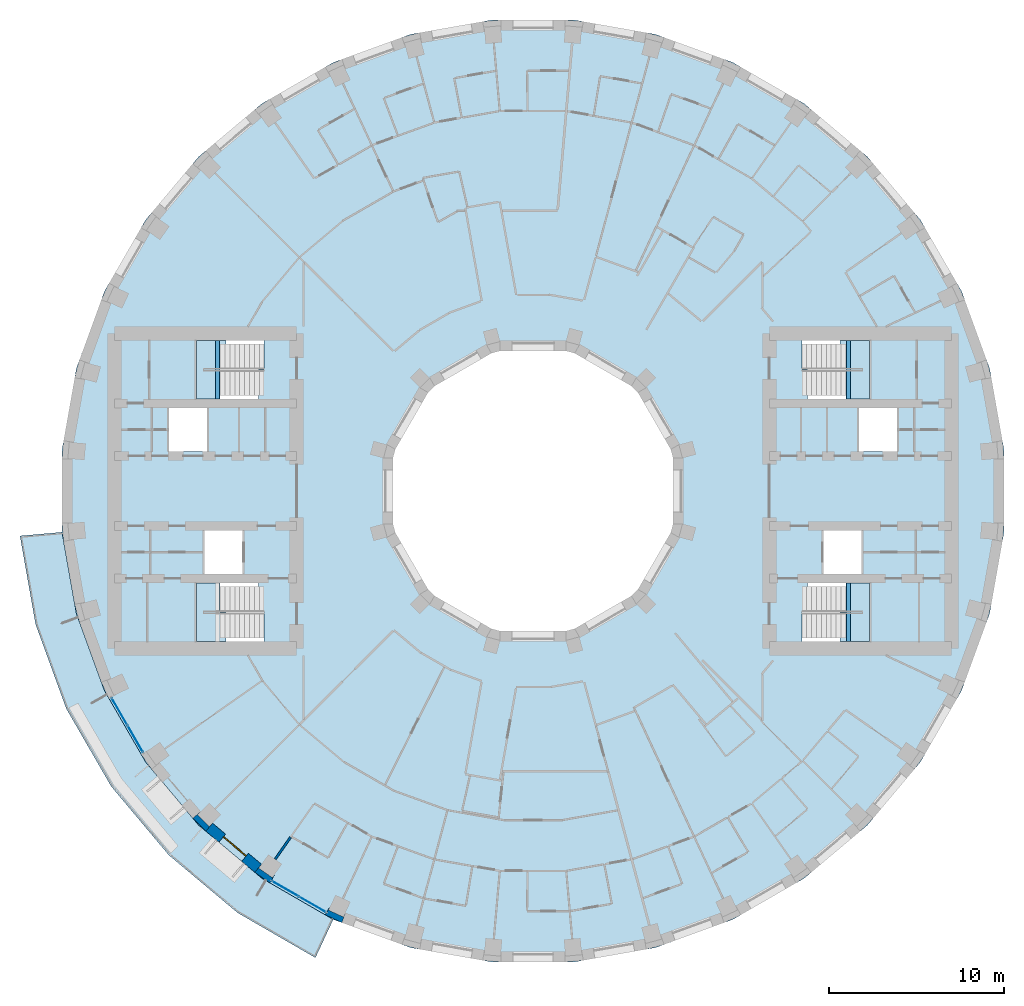
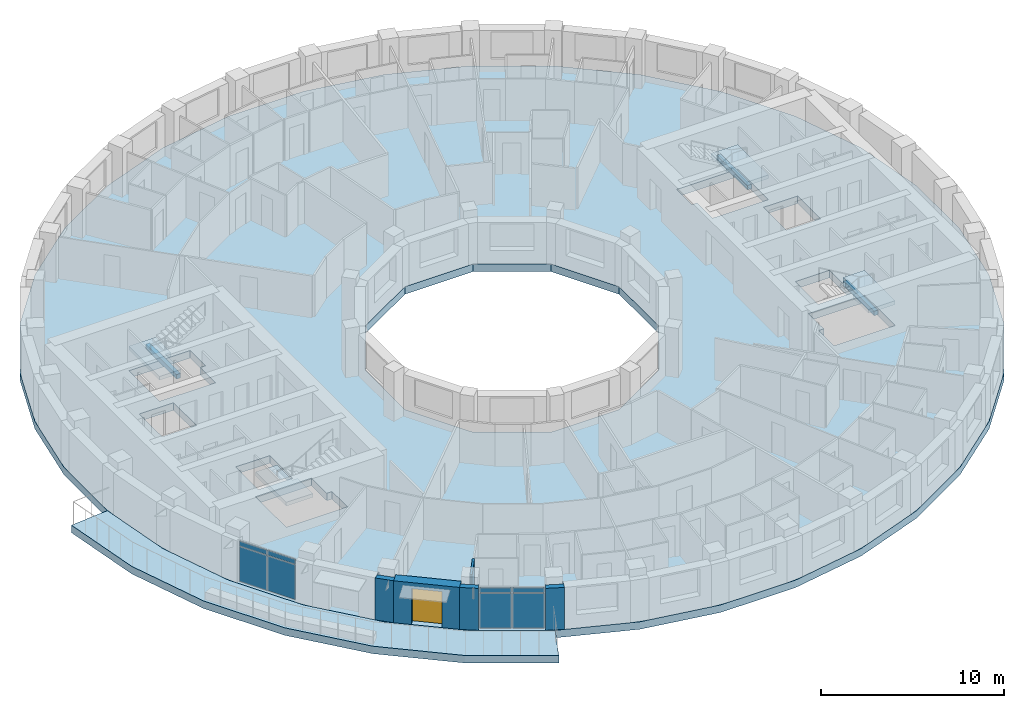
# One storey, part 3 of 16: 8 plates, 6 slabs, 5 walls, 3 beams, 1 door, 1 opening, 6 elements without a shape of their own.
"""IFC4 building model written with IfcOpenShell, lengths in metres."""

import ifcopenshell
import ifcopenshell.guid

model = None  # the IFC model being written
_history = None  # IfcOwnerHistory: only IFC2X3 demands one
_inside = {}  # id of a spatial element -> (the spatial element, [elements in it])
_under = {}  # id of a project, library or spatial element -> (it, [spatial elements below it])
_declared = {}  # id of a project -> (the project, [libraries it declares])
_typed = {}  # id of a type object -> (the type object, [elements of that type])
_made_of = {}  # id of a material, layer set ... -> (it, [elements and type objects made of it])


def new_model(schema):
    """Start an empty IFC model of exactly this schema.

    Asked for "IFC4X3", IfcOpenShell would pick the latest addendum, in which some entities
    have other attributes; the version numbers below select the first issue.
    IFC2X3 requires an IfcOwnerHistory on every rooted entity: one is made here for all.
    """
    global model, _history
    if schema == "IFC4X3":
        model = ifcopenshell.file(schema_version=(4, 3, 0, 0))
    else:
        model = ifcopenshell.file(schema=schema)
    _inside.clear()
    _under.clear()
    _declared.clear()
    _typed.clear()
    _made_of.clear()
    _history = None
    if model.schema == "IFC2X3":
        org = make("IfcOrganization", Name="unknown")
        user = make(
            "IfcPersonAndOrganization",
            ThePerson=make("IfcPerson", FamilyName="unknown"),
            TheOrganization=org,
        )
        app = make(
            "IfcApplication",
            ApplicationDeveloper=org,
            Version="unknown",
            ApplicationFullName="unknown",
            ApplicationIdentifier="unknown",
        )
        _history = make(
            "IfcOwnerHistory",
            OwningUser=user,
            OwningApplication=app,
            ChangeAction="ADDED",
            CreationDate=0,
        )
    return model


def make(cls, **values):
    """One entity of the class cls with the attributes given. An attribute that is None is left unset."""
    return model.create_entity(
        cls, **{name: value for name, value in values.items() if value is not None}
    )


def rooted(cls, **values):
    """An entity with a GlobalId (a new one), such as an element, a storey or a relation."""
    return make(cls, GlobalId=ifcopenshell.guid.new(), OwnerHistory=_history, **values)


def si_unit(unit_type, name, prefix=None):
    """IfcSIUnit, for example si_unit("LENGTHUNIT", "METRE", prefix="MILLI")."""
    return make("IfcSIUnit", UnitType=unit_type, Prefix=prefix, Name=name)


def assignment(units):
    """IfcUnitAssignment: the units of a project."""
    return None if units is None else make("IfcUnitAssignment", Units=units)


def point(xyz):
    """IfcCartesianPoint."""
    return None if xyz is None else make("IfcCartesianPoint", Coordinates=xyz)


def direction(xyz):
    """IfcDirection."""
    return None if xyz is None else make("IfcDirection", DirectionRatios=xyz)


def frame(location, z_axis=None, x_axis=None):
    """IfcAxis2Placement3D, a coordinate frame: its origin and axes. An axis left out is left unset."""
    return make(
        "IfcAxis2Placement3D",
        Location=point(location),
        Axis=direction(z_axis),
        RefDirection=direction(x_axis),
    )


def frame_2d(location, x_axis=None):
    """IfcAxis2Placement2D, a coordinate frame in the plane: its origin and x axis."""
    return make(
        "IfcAxis2Placement2D", Location=point(location), RefDirection=direction(x_axis)
    )


def origin():
    """The frame at (0, 0, 0) with its axes left unset."""
    return frame((0.0, 0.0, 0.0))


def origin_2d():
    """The frame at (0, 0) in the plane with its x axis left unset."""
    return frame_2d((0.0, 0.0))


def place(relative_to, where):
    """IfcLocalPlacement: puts the frame where relative to a parent placement (None: the world)."""
    return make(
        "IfcLocalPlacement", PlacementRelTo=relative_to, RelativePlacement=where
    )


def context(
    kind, dimensions, precision=None, world=None, true_north=None, identifier=None
):
    """IfcGeometricRepresentationContext, for example the 3D "Model" context."""
    return make(
        "IfcGeometricRepresentationContext",
        ContextIdentifier=identifier,
        ContextType=kind,
        CoordinateSpaceDimension=dimensions,
        Precision=precision,
        WorldCoordinateSystem=world,
        TrueNorth=true_north,
    )


def subcontext(parent, identifier, kind, view, scale=None):
    """IfcGeometricRepresentationSubContext, for example "Body" below "Model"."""
    return make(
        "IfcGeometricRepresentationSubContext",
        ContextIdentifier=identifier,
        ContextType=kind,
        ParentContext=parent,
        TargetScale=scale,
        TargetView=view,
    )


def project(units=None, contexts=None):
    """IfcProject with its units and contexts."""
    return rooted(
        "IfcProject",
        Name="project",
        RepresentationContexts=contexts,
        UnitsInContext=assignment(units),
    )


def spatial(cls, under=None, at=None, **own):
    """A site, building, storey or space (cls), placed at a placement, below another one or the project."""
    s = rooted(cls, ObjectPlacement=at, **own)
    if under is not None:
        _under.setdefault(under.id(), (under, []))[1].append(s)
    return s


def polyline(points):
    """IfcPolyline through the points."""
    return make("IfcPolyline", Points=[point(p) for p in points])


def profile(cls, at=None, kind="AREA", **sizes):
    """A parametric profile (cls). Its sizes go by their IFC names, for example OverallWidth=200.0."""
    return make(cls, ProfileType=kind, Position=at, **sizes)


def rectangle(**sizes):
    """IfcRectangleProfileDef."""
    return profile("IfcRectangleProfileDef", **sizes)


def outline(outer, holes=None, kind="AREA"):
    """IfcArbitraryClosedProfileDef: a profile drawn as a closed curve; with holes, ...WithVoids."""
    if holes is None:
        return make("IfcArbitraryClosedProfileDef", ProfileType=kind, OuterCurve=outer)
    return make(
        "IfcArbitraryProfileDefWithVoids",
        ProfileType=kind,
        OuterCurve=outer,
        InnerCurves=holes,
    )


def extrude(swept, where, along, depth):
    """IfcExtrudedAreaSolid: the profile swept, set in the frame where, extruded along a direction by depth."""
    return make(
        "IfcExtrudedAreaSolid",
        SweptArea=swept,
        Position=where,
        ExtrudedDirection=direction(along),
        Depth=depth,
    )


def shape(context_of_items, identifier, shape_type, items):
    """IfcShapeRepresentation: the items that make up one representation, for example the "Body"."""
    return make(
        "IfcShapeRepresentation",
        ContextOfItems=context_of_items,
        RepresentationIdentifier=identifier,
        RepresentationType=shape_type,
        Items=items,
    )


def material(Name=None, Category=None):
    """IfcMaterial."""
    return make("IfcMaterial", Name=Name, Category=Category)


def layer(
    of_material, thickness, ventilated=None, Name=None, Category=None, Priority=None
):
    """IfcMaterialLayer: one layer of a wall or slab, of a material (None: an air gap)."""
    return make(
        "IfcMaterialLayer",
        Material=of_material,
        LayerThickness=thickness,
        IsVentilated=ventilated,
        Name=Name,
        Category=Category,
        Priority=Priority,
    )


def layer_set(layers, Name=None):
    """IfcMaterialLayerSet."""
    return make("IfcMaterialLayerSet", MaterialLayers=layers, LayerSetName=Name)


def material_profile(
    of_material, cross_section, Name=None, Category=None, Priority=None
):
    """IfcMaterialProfile: a cross section and its material."""
    return make(
        "IfcMaterialProfile",
        Name=Name,
        Material=of_material,
        Profile=cross_section,
        Priority=Priority,
        Category=Category,
    )


def profile_set(profiles, Name=None, composite=None):
    """IfcMaterialProfileSet."""
    return make(
        "IfcMaterialProfileSet",
        Name=Name,
        MaterialProfiles=profiles,
        CompositeProfile=composite,
    )


def made_of(thing, what):
    """Note that an element or type object is made of a material, layer set ...; save() writes the relation."""
    if what is not None:
        _made_of.setdefault(what.id(), (what, []))[1].append(thing)
    return thing


def type_object(cls, material=None, **own):
    """A type object (cls), such as IfcWallType, which elements share."""
    return made_of(rooted(cls, **own), material)


def element(
    cls,
    number,
    at=None,
    inside=None,
    cuts=None,
    type_object=None,
    material=None,
    context=None,
    identifier="Body",
    shape_type=None,
    held_by="IfcProductDefinitionShape",
    body=None,
    shapes=None,
    **own,
):
    """One element of the class cls, such as IfcWall. Its Tag is "e" and its number.

    at: its placement. inside: the storey or other place that contains it. cuts: it is an
    opening in that element (IfcRelVoidsElement). A single representation is given by context,
    identifier, shape_type and body (its items); several are given by shapes. held_by: the class
    of the entity that holds the representations. save() writes the other relations.
    """
    e = rooted(cls, Tag="e%d" % number, ObjectPlacement=at, **own)
    if body is not None:
        shapes = [shape(context, identifier, shape_type, body)]
    if shapes is not None:
        e.Representation = make(held_by, Representations=shapes)
    if inside is not None:
        _inside.setdefault(inside.id(), (inside, []))[1].append(e)
    if cuts is not None:
        rooted(
            "IfcRelVoidsElement", RelatingBuildingElement=cuts, RelatedOpeningElement=e
        )
    if type_object is not None:
        _typed.setdefault(type_object.id(), (type_object, []))[1].append(e)
    return made_of(e, material)


def fill(opening, filler):
    """IfcRelFillsElement: the door or window that sits in an opening."""
    return rooted(
        "IfcRelFillsElement",
        RelatingOpeningElement=opening,
        RelatedBuildingElement=filler,
    )


def aggregate(whole, parts):
    """IfcRelAggregates: a whole, such as a stair, and the parts it consists of."""
    return rooted("IfcRelAggregates", RelatingObject=whole, RelatedObjects=parts)


def save(model, path):
    """Write the relations noted so far, then the file.

    IfcRelAggregates (storeys below a building ...), IfcRelContainedInSpatialStructure (elements
    in a storey), IfcRelDefinesByType, IfcRelAssociatesMaterial and IfcRelDeclares: one each for
    every whole, place, type object, material and project.
    """
    for whole, parts in _under.values():
        aggregate(whole, parts)
    for where, things in _inside.values():
        rooted(
            "IfcRelContainedInSpatialStructure",
            RelatedElements=things,
            RelatingStructure=where,
        )
    for kind, things in _typed.values():
        rooted("IfcRelDefinesByType", RelatedObjects=things, RelatingType=kind)
    for what, things in _made_of.values():
        rooted("IfcRelAssociatesMaterial", RelatedObjects=things, RelatingMaterial=what)
    for by, libraries in _declared.values():
        rooted("IfcRelDeclares", RelatingContext=by, RelatedDefinitions=libraries)
    model.write(path)


model = new_model("IFC4")

# Units and contexts
model_context = context("Model", 3, precision=1e-05, world=origin(), true_north=direction((0.0, 1.0)))
body_context = subcontext(model_context, "Body", "Model", "MODEL_VIEW")
ifc_project = project(units=[si_unit("LENGTHUNIT", "METRE"), si_unit("AREAUNIT", "SQUARE_METRE"), si_unit("VOLUMEUNIT", "CUBIC_METRE"), si_unit("PLANEANGLEUNIT", "RADIAN"), si_unit("MASSUNIT", "GRAM", prefix="KILO")], contexts=[model_context])

# Site, building, storey
site_placement = place(None, origin())
site = spatial("IfcSite", under=ifc_project, at=site_placement, CompositionType="ELEMENT")
building_placement = place(site_placement, origin())
building = spatial("IfcBuilding", under=site, at=building_placement, Name="Saqina Gate Tower", CompositionType="ELEMENT")
storey_placement = place(building_placement, frame((0.0, 0.0, 121.60009765625)))
storey = spatial("IfcBuildingStorey", under=building, at=storey_placement, Name="L34", CompositionType="ELEMENT", Elevation=121.60009765625)

# Beams
ifc_material_1 = material(Name="Concrete C40/50", Category="concrete")
ifc_material_profile = material_profile(ifc_material_1, rectangle(XDim=0.25, YDim=0.300048828125, at=origin_2d()), Name="STAIR LANDING BEAM")
ifc_profile_set = profile_set([ifc_material_profile], Name="Concrete C40/50")
beam_type = type_object("IfcBeamType", Name="STAIR LANDING BEAM", PredefinedType="BEAM", material=ifc_profile_set)
for number, where, z_axis, x_axis, name in (
    (1, (18.02001953125, 5.25, 1.25), (0.0, 1.0, 0.0), (-1.0, 0.0, 0.0), "EXIT STAIR 1 LANDING BEAM"),
    (2, (18.02001953125, -8.60009765625, 1.25), (0.0, 1.0, 0.0), (-1.0, 0.0, 0.0), "EXIT STAIR 2 LANDING BEAM"),
    (3, (-18.02001953125, 5.25, 1.25), (0.0, 1.0, 0.0), (-1.0, 0.0, 0.0), "EXIT STAIR 3 LANDING BEAM"),
):
    element("IfcBeam", number, at=place(storey_placement, frame(where, z_axis=z_axis, x_axis=x_axis)), inside=storey, type_object=beam_type, Name=name, PredefinedType="BEAM", context=body_context, shape_type="SweptSolid", body=[
        extrude(rectangle(XDim=0.25, YDim=0.300048828125, at=origin_2d()), origin(), (0.0, 0.0, 1.0), 3.35009765625),
    ])

# Curtain wall, plates
ifc_material_2 = material(Name="Aluminium glazing", Category="aluminium")
ifc_layer_1 = layer(ifc_material_2, 0.159912109375)
ifc_layer_set_1 = layer_set([ifc_layer_1], Name="CWT-4")
curtain_wall_type = type_object("IfcCurtainWallType", Name="CWT-4", PredefinedType="NOTDEFINED", material=ifc_layer_set_1)
curtain_wall_1_placement = place(storey_placement, origin())
curtain_wall_1 = element("IfcCurtainWall", 4, at=curtain_wall_1_placement, inside=storey, type_object=curtain_wall_type, Name="Terrace lounge glazing facet 21", PredefinedType="NOTDEFINED")
ifc_material_3 = material(Name="Glass", Category="glass")
ifc_layer_2 = layer(ifc_material_3, 0.028076171875)
ifc_layer_set_2 = layer_set([ifc_layer_2], Name="CWT-4P")
plate_type = type_object("IfcPlateType", Name="CWT-4P", PredefinedType="CURTAIN_PANEL", material=ifc_layer_set_2)
plate_1_placement = place(storey_placement, frame((-23.6123046875, -12.596923828125, 0.059814453125), z_axis=(0.0, 0.0, 1.0), x_axis=(0.499998512381, -0.86602626266, 0.0)))
plate_1 = element("IfcPlate", 5, at=plate_1_placement, type_object=plate_type, Name="CW4-21 panel 1.1", PredefinedType="CURTAIN_PANEL", context=body_context, shape_type="SweptSolid", body=[
    extrude(rectangle(XDim=1.73388671875, YDim=0.028076171875, at=origin_2d()), origin(), (0.0, 0.0, 1.0), 2.31005859375),
])
plate_2_placement = place(storey_placement, frame((-23.6123046875, -12.596923828125, 2.429931640625), z_axis=(0.0, 0.0, 1.0), x_axis=(0.499998512381, -0.86602626266, 0.0)))
plate_2 = element("IfcPlate", 6, at=plate_2_placement, type_object=plate_type, Name="CW4-21 panel 1.2", PredefinedType="CURTAIN_PANEL", context=body_context, shape_type="SweptSolid", body=[
    extrude(rectangle(XDim=1.73388671875, YDim=0.028076171875, at=origin_2d()), origin(), (0.0, 0.0, 1.0), 0.31005859375),
])
plate_3_placement = place(storey_placement, frame((-22.71533203125, -14.150390625, 0.059814453125), z_axis=(0.0, 0.0, 1.0), x_axis=(0.499998512381, -0.86602626266, 0.0)))
plate_3 = element("IfcPlate", 7, at=plate_3_placement, type_object=plate_type, Name="CW4-21 panel 2.1", PredefinedType="CURTAIN_PANEL", context=body_context, shape_type="SweptSolid", body=[
    extrude(rectangle(XDim=1.73388671875, YDim=0.028076171875, at=origin_2d()), origin(), (0.0, 0.0, 1.0), 2.31005859375),
])
plate_4_placement = place(storey_placement, frame((-22.71533203125, -14.150390625, 2.429931640625), z_axis=(0.0, 0.0, 1.0), x_axis=(0.499998512381, -0.86602626266, 0.0)))
plate_4 = element("IfcPlate", 8, at=plate_4_placement, type_object=plate_type, Name="CW4-21 panel 2.2", PredefinedType="CURTAIN_PANEL", context=body_context, shape_type="SweptSolid", body=[
    extrude(rectangle(XDim=1.73388671875, YDim=0.028076171875, at=origin_2d()), origin(), (0.0, 0.0, 1.0), 0.31005859375),
])
aggregate(curtain_wall_1, [plate_1, plate_2, plate_3, plate_4])

curtain_wall_2_placement = place(storey_placement, origin())
curtain_wall_2 = element("IfcCurtainWall", 9, at=curtain_wall_2_placement, inside=storey, type_object=curtain_wall_type, Name="Terrace lounge glazing facet 24", PredefinedType="NOTDEFINED")
plate_5_placement = place(storey_placement, frame((-14.150390625, -22.71533203125, 0.059814453125), z_axis=(0.0, 0.0, 1.0), x_axis=(0.86602626266, -0.499998512381, 0.0)))
plate_5 = element("IfcPlate", 10, at=plate_5_placement, type_object=plate_type, Name="CW4-24 panel 1.1", PredefinedType="CURTAIN_PANEL", context=body_context, shape_type="SweptSolid", body=[
    extrude(rectangle(XDim=1.73388671875, YDim=0.028076171875, at=origin_2d()), origin(), (0.0, 0.0, 1.0), 2.31005859375),
])
plate_6_placement = place(storey_placement, frame((-14.150390625, -22.71533203125, 2.429931640625), z_axis=(0.0, 0.0, 1.0), x_axis=(0.86602626266, -0.499998512381, 0.0)))
plate_6 = element("IfcPlate", 11, at=plate_6_placement, type_object=plate_type, Name="CW4-24 panel 1.2", PredefinedType="CURTAIN_PANEL", context=body_context, shape_type="SweptSolid", body=[
    extrude(rectangle(XDim=1.73388671875, YDim=0.028076171875, at=origin_2d()), origin(), (0.0, 0.0, 1.0), 0.31005859375),
])
plate_7_placement = place(storey_placement, frame((-12.596923828125, -23.6123046875, 0.059814453125), z_axis=(0.0, 0.0, 1.0), x_axis=(0.86602626266, -0.499998512381, 0.0)))
plate_7 = element("IfcPlate", 12, at=plate_7_placement, type_object=plate_type, Name="CW4-24 panel 2.1", PredefinedType="CURTAIN_PANEL", context=body_context, shape_type="SweptSolid", body=[
    extrude(rectangle(XDim=1.73388671875, YDim=0.028076171875, at=origin_2d()), origin(), (0.0, 0.0, 1.0), 2.31005859375),
])
plate_8_placement = place(storey_placement, frame((-12.596923828125, -23.6123046875, 2.429931640625), z_axis=(0.0, 0.0, 1.0), x_axis=(0.86602626266, -0.499998512381, 0.0)))
plate_8 = element("IfcPlate", 13, at=plate_8_placement, type_object=plate_type, Name="CW4-24 panel 2.2", PredefinedType="CURTAIN_PANEL", context=body_context, shape_type="SweptSolid", body=[
    extrude(rectangle(XDim=1.73388671875, YDim=0.028076171875, at=origin_2d()), origin(), (0.0, 0.0, 1.0), 0.31005859375),
])
aggregate(curtain_wall_2, [plate_5, plate_6, plate_7, plate_8])

# Stair, slab
ifc_material_4 = material(Name="Concrete C40/50", Category="concrete")
stair_type = type_object("IfcStairType", Name="EXIT STAIR", PredefinedType="HALF_TURN_STAIR", material=ifc_material_4)
stair_1_placement = place(storey_placement, origin())
stair_1 = element("IfcStair", 14, at=stair_1_placement, inside=storey, type_object=stair_type, Name="EXIT STAIR 1", PredefinedType="HALF_TURN_STAIR")
ifc_material_5 = material(Name="Concrete C40/50", Category="concrete")
ifc_layer_3 = layer(ifc_material_5, 0.25)
ifc_layer_set_3 = layer_set([ifc_layer_3], Name="Concrete C40/50")
slab_type_1 = type_object("IfcSlabType", Name="EXIT STAIR LANDING", PredefinedType="LANDING", material=ifc_layer_set_3)
slab_1_placement = place(storey_placement, frame((0.0, 0.0, 1.39990234375)))
slab_1 = element("IfcSlab", 15, at=slab_1_placement, type_object=slab_type_1, Name="EXIT STAIR 1 LANDING 1", PredefinedType="LANDING", context=body_context, shape_type="SweptSolid", body=[
    extrude(outline(polyline([(19.219970703125, 8.60009765625), (19.219970703125, 5.25), (17.864990234375, 5.25), (17.864990234375, 6.925048828125), (17.534423828125, 6.925048828125), (17.534423828125, 8.60009765625), (17.864990234375, 8.60009765625), (17.8701171875, 8.60009765625), (19.219970703125, 8.60009765625)])), origin(), (0.0, 0.0, 1.0), 0.25),
])
aggregate(stair_1, [slab_1])

stair_2_placement = place(storey_placement, origin())
stair_2 = element("IfcStair", 16, at=stair_2_placement, inside=storey, type_object=stair_type, Name="EXIT STAIR 2", PredefinedType="HALF_TURN_STAIR")
slab_2_placement = place(storey_placement, frame((0.0, 0.0, 1.39990234375)))
slab_2 = element("IfcSlab", 17, at=slab_2_placement, type_object=slab_type_1, Name="EXIT STAIR 2 LANDING 1", PredefinedType="LANDING", context=body_context, shape_type="SweptSolid", body=[
    extrude(outline(polyline([(17.534423828125, -8.60009765625), (17.534423828125, -6.925048828125), (17.864990234375, -6.925048828125), (17.864990234375, -5.25), (19.219970703125, -5.25), (19.219970703125, -8.60009765625), (17.8701171875, -8.60009765625), (17.864990234375, -8.60009765625), (17.534423828125, -8.60009765625)])), origin(), (0.0, 0.0, 1.0), 0.25),
])
aggregate(stair_2, [slab_2])

stair_3_placement = place(storey_placement, origin())
stair_3 = element("IfcStair", 18, at=stair_3_placement, inside=storey, type_object=stair_type, Name="EXIT STAIR 3", PredefinedType="HALF_TURN_STAIR")
slab_3_placement = place(storey_placement, frame((0.0, 0.0, 1.39990234375)))
slab_3 = element("IfcSlab", 19, at=slab_3_placement, type_object=slab_type_1, Name="EXIT STAIR 3 LANDING 1", PredefinedType="LANDING", context=body_context, shape_type="SweptSolid", body=[
    extrude(outline(polyline([(-17.864990234375, 5.25), (-19.219970703125, 5.25), (-19.219970703125, 8.60009765625), (-17.8701171875, 8.60009765625), (-17.864990234375, 8.60009765625), (-17.534423828125, 8.60009765625), (-17.534423828125, 6.925048828125), (-17.864990234375, 6.925048828125), (-17.864990234375, 5.25)])), origin(), (0.0, 0.0, 1.0), 0.25),
])
aggregate(stair_3, [slab_3])

stair_4_placement = place(storey_placement, origin())
stair_4 = element("IfcStair", 20, at=stair_4_placement, inside=storey, type_object=stair_type, Name="EXIT STAIR 4", PredefinedType="HALF_TURN_STAIR")
slab_4_placement = place(storey_placement, frame((0.0, 0.0, 1.39990234375)))
slab_4 = element("IfcSlab", 21, at=slab_4_placement, type_object=slab_type_1, Name="EXIT STAIR 4 LANDING 1", PredefinedType="LANDING", context=body_context, shape_type="SweptSolid", body=[
    extrude(outline(polyline([(-17.534423828125, -6.925048828125), (-17.534423828125, -8.60009765625), (-17.864990234375, -8.60009765625), (-17.8701171875, -8.60009765625), (-19.219970703125, -8.60009765625), (-19.219970703125, -5.25), (-17.864990234375, -5.25), (-17.864990234375, -6.925048828125), (-17.534423828125, -6.925048828125)])), origin(), (0.0, 0.0, 1.0), 0.25),
])
aggregate(stair_4, [slab_4])

# Slabs
ifc_material_6 = material(Name="Concrete C40/50", Category="concrete")
ifc_layer_4 = layer(ifc_material_6, 0.5)
ifc_layer_set_4 = layer_set([ifc_layer_4], Name="Concrete C40/50")
slab_type_2 = type_object("IfcSlabType", Name="STR-POST-TENSIONED FLAT PLATE FLOOR-500", PredefinedType="FLOOR", material=ifc_layer_set_4)
slab_5_placement = place(storey_placement, frame((0.0, 0.0, -0.5)))
element("IfcSlab", 22, at=slab_5_placement, inside=storey, type_object=slab_type_2, Name="L34-SLB01", PredefinedType="FLOOR", context=body_context, shape_type="SweptSolid", body=[
    extrude(outline(polyline([(26.080078125, -6.988037109375), (26.897216796875, -2.353271484375), (26.897216796875, 2.353271484375), (26.080078125, 6.988037109375), (24.47021484375, 11.41064453125), (22.1171875, 15.486572265625), (19.091796875, 19.091796875), (15.486572265625, 22.1171875), (11.41064453125, 24.47021484375), (6.988037109375, 26.080078125), (2.353271484375, 26.897216796875), (-2.353271484375, 26.897216796875), (-6.988037109375, 26.080078125), (-11.41064453125, 24.47021484375), (-15.486572265625, 22.1171875), (-19.091796875, 19.091796875), (-22.1171875, 15.486572265625), (-24.47021484375, 11.41064453125), (-26.080078125, 6.988037109375), (-26.897216796875, 2.353271484375), (-26.897216796875, -2.353271484375), (-26.080078125, -6.988037109375), (-24.47021484375, -11.41064453125), (-22.1171875, -15.486572265625), (-19.091796875, -19.091796875), (-15.486572265625, -22.1171875), (-11.41064453125, -24.47021484375), (-6.988037109375, -26.080078125), (-2.353271484375, -26.897216796875), (2.353271484375, -26.897216796875), (6.988037109375, -26.080078125), (11.41064453125, -24.47021484375), (15.486572265625, -22.1171875), (19.091796875, -19.091796875), (22.1171875, -15.486572265625), (24.47021484375, -11.41064453125), (26.080078125, -6.988037109375)]), holes=[polyline([(2.1435546875, 8.0), (5.8564453125, 5.8564453125), (8.0, 2.1435546875), (8.0, -2.1435546875), (5.8564453125, -5.8564453125), (2.1435546875, -8.0), (-2.1435546875, -8.0), (-5.8564453125, -5.8564453125), (-8.0, -2.1435546875), (-8.0, 2.1435546875), (-5.8564453125, 5.8564453125), (-2.1435546875, 8.0), (2.1435546875, 8.0)]), polyline([(-15.35498046875, -8.60009765625), (-19.219970703125, -8.60009765625), (-19.219970703125, -6.925048828125), (-19.219970703125, -5.25), (-15.685546875, -5.25), (-15.685546875, -6.925048828125), (-15.35498046875, -6.925048828125), (-15.35498046875, -8.60009765625)]), polyline([(-16.590087890625, -2.25), (-16.590087890625, -4.75), (-18.75, -4.75), (-18.75, -2.25), (-16.590087890625, -2.25)]), polyline([(-20.780029296875, 4.75), (-18.6201171875, 4.75), (-18.6201171875, 2.25), (-20.780029296875, 2.25), (-20.780029296875, 4.75)]), polyline([(-19.219970703125, 6.925048828125), (-19.219970703125, 8.60009765625), (-15.35498046875, 8.60009765625), (-15.35498046875, 6.925048828125), (-15.685546875, 6.925048828125), (-15.685546875, 5.25), (-19.219970703125, 5.25), (-19.219970703125, 6.925048828125)]), polyline([(15.35498046875, -8.60009765625), (15.35498046875, -6.925048828125), (15.685546875, -6.925048828125), (15.685546875, -5.25), (19.219970703125, -5.25), (19.219970703125, -6.925048828125), (19.219970703125, -8.60009765625), (15.35498046875, -8.60009765625)]), polyline([(18.75, -2.25), (18.75, -4.75), (16.590087890625, -4.75), (16.590087890625, -2.25), (18.75, -2.25)]), polyline([(18.6201171875, 4.75), (20.780029296875, 4.75), (20.780029296875, 2.25), (18.6201171875, 2.25), (18.6201171875, 4.75)]), polyline([(15.685546875, 6.925048828125), (15.35498046875, 6.925048828125), (15.35498046875, 8.60009765625), (19.219970703125, 8.60009765625), (19.219970703125, 6.925048828125), (19.219970703125, 5.25), (15.685546875, 5.25), (15.685546875, 6.925048828125)])]), origin(), (0.0, 0.0, 1.0), 0.5),
])
ifc_material_7 = material(Name="Concrete C40/50", Category="concrete")
ifc_layer_5 = layer(ifc_material_7, 0.5)
ifc_layer_set_5 = layer_set([ifc_layer_5], Name="Concrete C40/50")
slab_type_3 = type_object("IfcSlabType", Name="STR-POST-TENSIONED FLAT PLATE TERRACE-500", PredefinedType="FLOOR", material=ifc_layer_set_5)
slab_6_placement = place(storey_placement, frame((0.0, 0.0, -0.5)))
element("IfcSlab", 23, at=slab_6_placement, inside=storey, type_object=slab_type_3, Name="L34-TRS01", PredefinedType="FLOOR", context=body_context, shape_type="SweptSolid", body=[
    extrude(outline(polyline([(-26.897216796875, -2.353271484375), (-26.080078125, -6.988037109375), (-24.47021484375, -11.41064453125), (-22.1171875, -15.486572265625), (-19.091796875, -19.091796875), (-15.486572265625, -22.1171875), (-11.41064453125, -24.47021484375), (-12.428955078125, -26.65380859375), (-16.868408203125, -24.090576171875), (-20.79541015625, -20.79541015625), (-24.090576171875, -16.868408203125), (-26.65380859375, -12.428955078125), (-28.406982421875, -7.611572265625), (-29.29736328125, -2.563232421875), (-26.897216796875, -2.353271484375)])), origin(), (0.0, 0.0, 1.0), 0.5),
])

# Walls
ifc_material_8 = material(Name="Brick masonry (buff)", Category="masonry")
wall_type_1 = type_object("IfcWallType", Name="BRICK PIER COPING BUFF", PredefinedType="SOLIDWALL", material=ifc_material_8)
wall_1_placement = place(storey_placement, origin())
element("IfcWall", 24, at=wall_1_placement, inside=storey, type_object=wall_type_1, Name="Pier cap L34 column 23", PredefinedType="SOLIDWALL", context=body_context, shape_type="SweptSolid", body=[
    extrude(outline(polyline([(-19.43212890625, -18.686279296875), (-18.686279296875, -19.43212890625), (-18.30078125, -18.972412109375), (-18.49072265625, -19.16259765625), (-19.16259765625, -18.49072265625), (-18.972412109375, -18.30078125), (-19.43212890625, -18.686279296875)])), origin(), (0.0, 0.0, 1.0), 2.7998046875),
])
wall_2_placement = place(storey_placement, origin())
element("IfcWall", 25, at=wall_2_placement, inside=storey, type_object=wall_type_1, Name="Pier cap L34 column 24", PredefinedType="SOLIDWALL", context=body_context, shape_type="SweptSolid", body=[
    extrude(outline(polyline([(-15.0283203125, -22.3818359375), (-14.728271484375, -21.862060546875), (-14.88232421875, -22.08251953125), (-15.66064453125, -21.53759765625), (-15.50634765625, -21.317138671875), (-15.89208984375, -21.77685546875), (-15.0283203125, -22.3818359375)])), origin(), (0.0, 0.0, 1.0), 2.7998046875),
])
wall_3_placement = place(storey_placement, origin())
element("IfcWall", 26, at=wall_3_placement, inside=storey, type_object=wall_type_1, Name="Pier cap L34 column 25", PredefinedType="SOLIDWALL", context=body_context, shape_type="SweptSolid", body=[
    extrude(outline(polyline([(-10.913330078125, -24.6513671875), (-10.7080078125, -24.08740234375), (-10.82177734375, -24.331298828125), (-11.6826171875, -23.9296875), (-11.569091796875, -23.68603515625), (-11.869140625, -24.205810546875), (-10.913330078125, -24.6513671875)])), origin(), (0.0, 0.0, 1.0), 2.7998046875),
])

# Wall, opening, door
ifc_material_9 = material(Name="Brick masonry (buff)", Category="masonry")
ifc_layer_6 = layer(ifc_material_9, 0.60009765625)
ifc_layer_set_6 = layer_set([ifc_layer_6], Name="FW-BRICK-BUFF")
wall_type_2 = type_object("IfcWallType", Name="FW-BRICK-BUFF", PredefinedType="SOLIDWALL", material=ifc_layer_set_6)
wall_4_placement = place(storey_placement, frame((-18.49365234375, -19.202392578125, 0.0), z_axis=(0.0, 0.0, 1.0), x_axis=(0.766055462616, -0.642774476932, 0.0)))
wall_4 = element("IfcWall", 27, at=wall_4_placement, inside=storey, type_object=wall_type_2, Name="Facade wall L34 facet 23", PredefinedType="SOLIDWALL", context=body_context, shape_type="SweptSolid", body=[
    extrude(rectangle(XDim=3.647705078125, YDim=0.60009765625, at=frame_2d((1.82373046875, 0.0))), origin(), (0.0, 0.0, 1.0), 2.7998046875),
])
opening_placement = place(wall_4_placement, frame((0.973876953125, 0.0, 0.0)))
opening = element("IfcOpeningElement", 28, at=opening_placement, cuts=wall_4, Name="Opening G10-D81", PredefinedType="OPENING", context=body_context, shape_type="SweptSolid", body=[
    extrude(rectangle(XDim=1.699951171875, YDim=2.39990234375, at=frame_2d((0.85009765625, 1.199951171875))), frame((0.0, 0.31201171875, 0.0), z_axis=(0.0, -1.0, 0.0), x_axis=(1.0, 0.0, 0.0)), (0.0, 0.0, 1.0), 0.6240234375),
])
ifc_material_10 = material(Name="Aluminium glazing", Category="aluminium")
door_type = type_object("IfcDoorType", Name="GD-B", OperationType="DOUBLE_DOOR_SINGLE_SWING", PredefinedType="DOOR", material=ifc_material_10)
door_placement = place(opening_placement, frame((1.699951171875, 0.0, 0.0), z_axis=(0.0, 0.0, 1.0), x_axis=(-1.0, 0.0, 0.0)))
door = element("IfcDoor", 29, at=door_placement, inside=storey, type_object=door_type, Name="Terrace door L34 facet 23", OperationType="DOUBLE_DOOR_SINGLE_SWING", OverallHeight=2.39990234375, OverallWidth=1.699951171875, PredefinedType="DOOR", context=body_context, shape_type="SweptSolid", body=[
    extrude(rectangle(XDim=1.699951171875, YDim=2.39990234375, at=frame_2d((0.85009765625, 1.199951171875))), frame((0.0, -0.0751953125, 0.0), z_axis=(0.0, -1.0, 0.0), x_axis=(1.0, 0.0, 0.0)), (0.0, 0.0, 1.0), 0.050048828125),
])
fill(opening, door)

# Wall
ifc_material_11 = material(Name="Gypsum board on steel studs, 125 mm, fire rated", Category="steel")
ifc_layer_7 = layer(ifc_material_11, 0.125)
ifc_layer_set_7 = layer_set([ifc_layer_7], Name="PARTITION EI 30 125")
wall_type_3 = type_object("IfcWallType", Name="PARTITION EI 30 125", PredefinedType="PARTITIONING", material=ifc_layer_set_7)
wall_5_placement = place(storey_placement, frame((-14.720703125, -21.0234375, 0.0), z_axis=(0.0, 0.0, 1.0), x_axis=(0.573344270264, 0.819314559711, 0.0)))
element("IfcWall", 30, at=wall_5_placement, inside=storey, type_object=wall_type_3, Name="PARTITION PW1-52", PredefinedType="PARTITIONING", context=body_context, shape_type="SweptSolid", body=[
    extrude(rectangle(XDim=1.526611328125, YDim=0.125, at=frame_2d((0.76318359375, 0.0))), origin(), (0.0, 0.0, 1.0), 2.7998046875),
])

save(model, "model.ifc")
